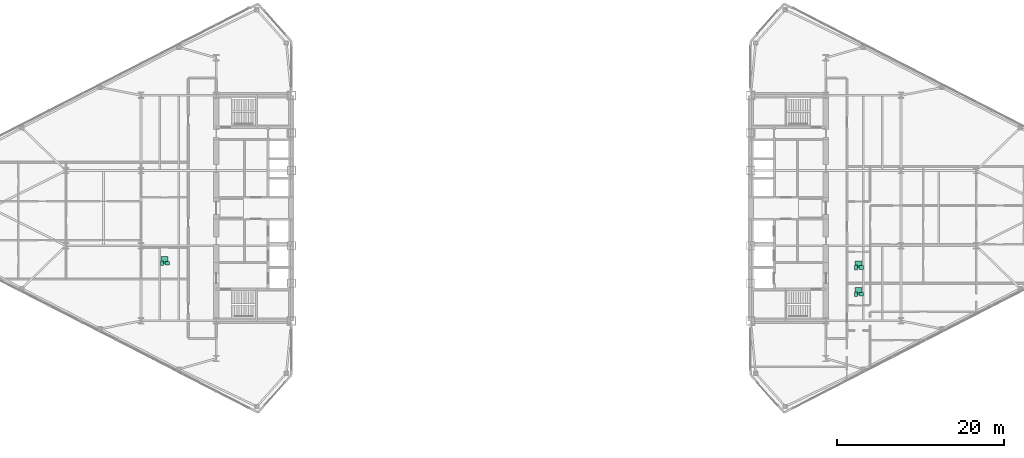
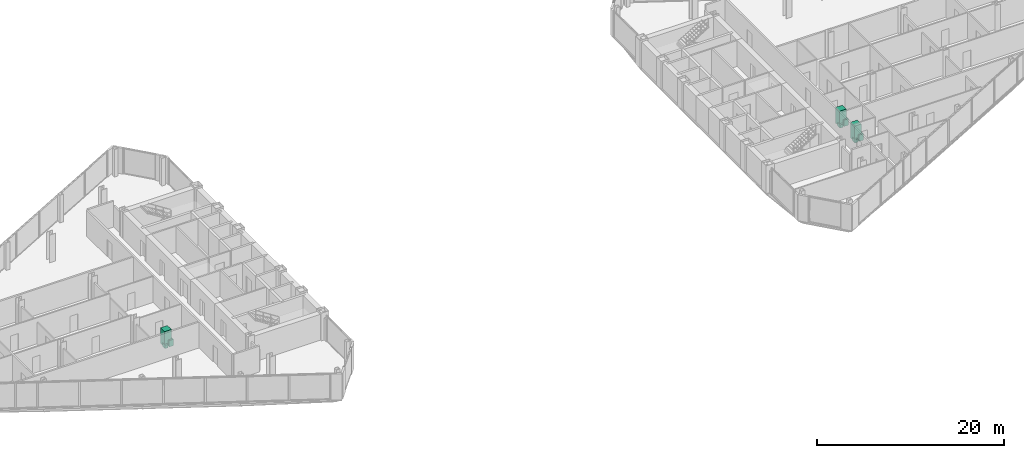
# One storey, part 23 of 23: 9 sanitary terminals.
"""IFC4 building model written with IfcOpenShell, lengths in metres."""

from ifc_helpers import new_model, si_unit, direction, frame, origin, origin_2d, place, context, subcontext, project, spatial, rectangle, extrude, source, transform, mapped, material, type_object, type_shapes, element, save


model = new_model("IFC4")

# Units and contexts
model_context = context("Model", 3, precision=1e-05, world=origin(), true_north=direction((0.0, 1.0)))
body_context = subcontext(model_context, "Body", "Model", "MODEL_VIEW")
ifc_project = project(units=[si_unit("LENGTHUNIT", "METRE"), si_unit("AREAUNIT", "SQUARE_METRE"), si_unit("VOLUMEUNIT", "CUBIC_METRE"), si_unit("PLANEANGLEUNIT", "RADIAN"), si_unit("MASSUNIT", "GRAM", prefix="KILO")], contexts=[model_context])

# Site, building, storey
site_placement = place(None, origin())
site = spatial("IfcSite", under=ifc_project, at=site_placement, CompositionType="ELEMENT")
building_placement = place(site_placement, origin())
building = spatial("IfcBuilding", under=site, at=building_placement, Name="Seokmaru Belvedere", CompositionType="ELEMENT")
storey_placement = place(building_placement, frame((0.0, 0.0, 128.39990234375)))
storey = spatial("IfcBuildingStorey", under=building, at=storey_placement, Name="L34", CompositionType="ELEMENT", Elevation=128.39990234375)

# Sanitary terminals
ifc_material_1 = material(Name="Vitreous China Sanitaryware")
sanitary_terminal_type_1 = type_object("IfcSanitaryTerminalType", Name="Wall-Hung Vitreous China WC Pan", PredefinedType="TOILETPAN", material=ifc_material_1)
shared_shape_1 = source(origin(), body_context, "Body", "SweptSolid", [
    extrude(rectangle(XDim=0.3798828125, YDim=0.56005859375, at=origin_2d()), origin(), (0.0, 0.0, 1.0), 0.419921875),
])
type_shapes(sanitary_terminal_type_1, [shared_shape_1])
for number, where, z_axis, x_axis, name in (
    (1, (-42.97509765625, -6.611083984375, 0.000244140625), (0.0, 0.0, 1.0), (1.0, 0.0, 0.0), "L34 Vitreous China WC 0192"),
    (2, (40.125, -10.322021484375, 0.000244140625), (0.0, 0.0, 1.0), (1.0, 0.0, 0.0), "L34 Vitreous China WC 0193"),
    (3, (40.125, -7.111083984375, 0.000244140625), (0.0, 0.0, 1.0), (1.0, 0.0, 0.0), "L34 Vitreous China WC 0194"),
):
    element("IfcSanitaryTerminal", number, at=place(storey_placement, frame(where, z_axis=z_axis, x_axis=x_axis)), inside=storey, type_object=sanitary_terminal_type_1, Name=name, PredefinedType="TOILETPAN", context=body_context, shape_type="MappedRepresentation", body=[
        mapped(shared_shape_1, transform((0.0, 0.0, 0.0), scale=1.0)),
    ])
sanitary_terminal_type_2 = type_object("IfcSanitaryTerminalType", Name="Countertop Ceramic Washhand Basin", PredefinedType="WASHHANDBASIN", material=ifc_material_1)
shared_shape_2 = source(origin(), body_context, "Body", "SweptSolid", [
    extrude(rectangle(XDim=0.550048828125, YDim=0.449951171875, at=origin_2d()), origin(), (0.0, 0.0, 1.0), 0.820068359375),
])
type_shapes(sanitary_terminal_type_2, [shared_shape_2])
for number, where, z_axis, x_axis, name in (
    (4, (-42.375, -6.611083984375, 0.0), (0.0, 0.0, 1.0), (1.0, 0.0, 0.0), "L34 Ceramic Washhand Basin 0192"),
    (5, (40.72509765625, -10.322021484375, 0.0), (0.0, 0.0, 1.0), (1.0, 0.0, 0.0), "L34 Ceramic Washhand Basin 0193"),
    (6, (40.72509765625, -7.111083984375, 0.0), (0.0, 0.0, 1.0), (1.0, 0.0, 0.0), "L34 Ceramic Washhand Basin 0194"),
):
    element("IfcSanitaryTerminal", number, at=place(storey_placement, frame(where, z_axis=z_axis, x_axis=x_axis)), inside=storey, type_object=sanitary_terminal_type_2, Name=name, PredefinedType="WASHHANDBASIN", context=body_context, shape_type="MappedRepresentation", body=[
        mapped(shared_shape_2, transform((0.0, 0.0, 0.0), scale=1.0)),
    ])
ifc_material_2 = material(Name="Stainless Steel 316", Category="steel")
sanitary_terminal_type_3 = type_object("IfcSanitaryTerminalType", Name="Walk-In Thermostatic Rain Shower Enclosure", PredefinedType="SHOWER", material=ifc_material_2)
shared_shape_3 = source(origin(), body_context, "Body", "SweptSolid", [
    extrude(rectangle(XDim=0.85009765625, YDim=0.85009765625, at=origin_2d()), origin(), (0.0, 0.0, 1.0), 2.050048828125),
])
type_shapes(sanitary_terminal_type_3, [shared_shape_3])
for number, where, z_axis, x_axis, name in (
    (7, (-42.675048828125, -6.23095703125, 0.0), (0.0, 0.0, 1.0), (1.0, 0.0, 0.0), "L34 Walk-In Shower 0192"),
    (8, (40.425048828125, -9.94189453125, 0.0), (0.0, 0.0, 1.0), (1.0, 0.0, 0.0), "L34 Walk-In Shower 0193"),
    (9, (40.425048828125, -6.73095703125, 0.0), (0.0, 0.0, 1.0), (1.0, 0.0, 0.0), "L34 Walk-In Shower 0194"),
):
    element("IfcSanitaryTerminal", number, at=place(storey_placement, frame(where, z_axis=z_axis, x_axis=x_axis)), inside=storey, type_object=sanitary_terminal_type_3, Name=name, PredefinedType="SHOWER", context=body_context, shape_type="MappedRepresentation", body=[
        mapped(shared_shape_3, transform((0.0, 0.0, 0.0), scale=1.0)),
    ])

save(model, "model.ifc")
